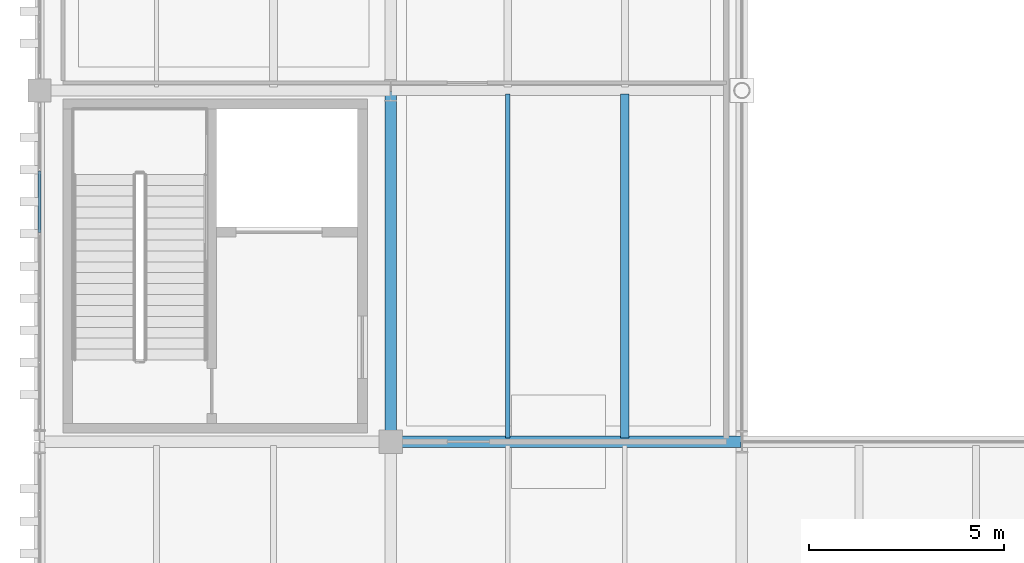
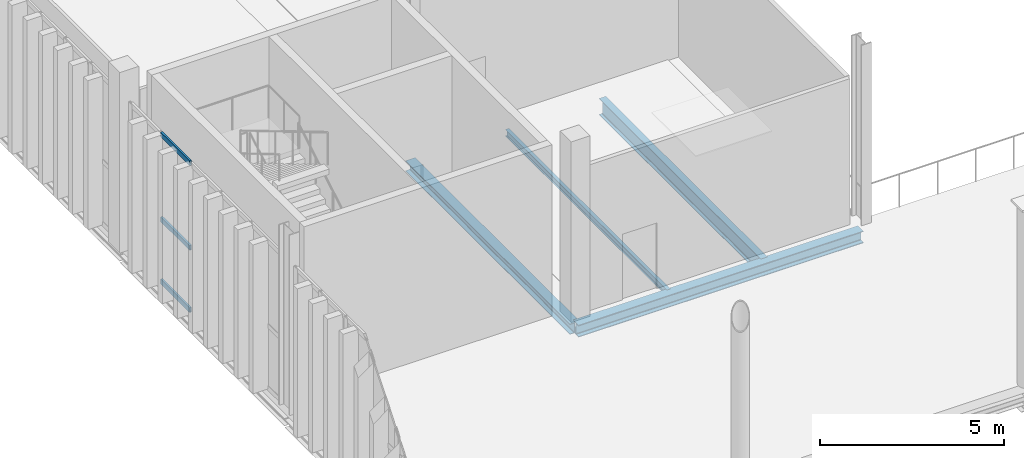
# One storey, part 35 of 211: 4 beams, 3 members, 1 element without a shape of its own.
"""IFC4 building model written with IfcOpenShell, lengths in metres."""

from ifc_helpers import new_model, si_unit, direction, frame, origin, origin_2d, place, context, subcontext, project, spatial, hollow_rectangle, i_section, extrude, material, layer, layer_set, material_profile, profile_set, type_object, element, aggregate, save


model = new_model("IFC4")

# Units and contexts
model_context = context("Model", 3, precision=1e-05, world=origin(), true_north=direction((0.0, 1.0)))
body_context = subcontext(model_context, "Body", "Model", "MODEL_VIEW")
ifc_project = project(units=[si_unit("LENGTHUNIT", "METRE"), si_unit("AREAUNIT", "SQUARE_METRE"), si_unit("VOLUMEUNIT", "CUBIC_METRE"), si_unit("PLANEANGLEUNIT", "RADIAN"), si_unit("MASSUNIT", "GRAM", prefix="KILO")], contexts=[model_context])

# Site, building, storey
site_placement = place(None, origin())
site = spatial("IfcSite", under=ifc_project, at=site_placement, CompositionType="ELEMENT")
building_placement = place(site_placement, origin())
building = spatial("IfcBuilding", under=site, at=building_placement, Name="Barlavento Convention Centre", CompositionType="ELEMENT")
storey_placement = place(building_placement, frame((0.0, 0.0, 6.0)))
storey = spatial("IfcBuildingStorey", under=building, at=storey_placement, Name="L01", CompositionType="ELEMENT", Elevation=6.0)

# Curtain wall, members
ifc_material_1 = material(Name="Powder-coated aluminium and Low-E glass", Category="aluminium")
ifc_layer = layer(ifc_material_1, 0.18505859375)
ifc_layer_set = layer_set([ifc_layer], Name="ARC-CW-CONG-L01")
curtain_wall_type = type_object("IfcCurtainWallType", Name="ARC-CW-CONG-L01", PredefinedType="NOTDEFINED", material=ifc_layer_set)
curtain_wall_placement = place(storey_placement, origin())
curtain_wall = element("IfcCurtainWall", 1, at=curtain_wall_placement, inside=storey, type_object=curtain_wall_type, Name="L01 unitised curtain wall CW01", PredefinedType="NOTDEFINED")
ifc_material_2 = material(Name="Powder-coated aluminium", Category="aluminium")
ifc_material_profile_1 = material_profile(ifc_material_2, hollow_rectangle(XDim=0.06494140625, YDim=0.159912109375, WallThickness=0.0048828125, at=origin_2d()), Name="AL-TRAN 65x160x5")
ifc_profile_set_1 = profile_set([ifc_material_profile_1], Name="Powder-coated aluminium")
member_type = type_object("IfcMemberType", Name="ARC-CWT-65X160", PredefinedType="USERDEFINED", material=ifc_profile_set_1)
member_1_placement = place(storey_placement, frame((0.0, 23.3564453125, 0.032470703125), z_axis=(0.0, 1.0, 0.0), x_axis=(-1.0, 0.0, 0.0)))
member_1 = element("IfcMember", 2, at=member_1_placement, type_object=member_type, Name="CW01 transom 4.1", ObjectType="TRANSOM", PredefinedType="USERDEFINED", context=body_context, shape_type="SweptSolid", body=[
    extrude(hollow_rectangle(XDim=0.06494140625, YDim=0.159912109375, WallThickness=0.0048828125, at=origin_2d()), origin(), (0.0, 0.0, 1.0), 1.5830078125),
])
member_2_placement = place(storey_placement, frame((0.0, 23.3564453125, 2.10009765625), z_axis=(0.0, 1.0, 0.0), x_axis=(-1.0, 0.0, 0.0)))
member_2 = element("IfcMember", 3, at=member_2_placement, type_object=member_type, Name="CW01 transom 4.2", ObjectType="TRANSOM", PredefinedType="USERDEFINED", context=body_context, shape_type="SweptSolid", body=[
    extrude(hollow_rectangle(XDim=0.06494140625, YDim=0.159912109375, WallThickness=0.0048828125, at=origin_2d()), origin(), (0.0, 0.0, 1.0), 1.5830078125),
])
member_3_placement = place(storey_placement, frame((0.0, 23.3564453125, 4.91748046875), z_axis=(0.0, 1.0, 0.0), x_axis=(-1.0, 0.0, 0.0)))
member_3 = element("IfcMember", 4, at=member_3_placement, type_object=member_type, Name="CW01 transom 4.3", ObjectType="TRANSOM", PredefinedType="USERDEFINED", context=body_context, shape_type="SweptSolid", body=[
    extrude(hollow_rectangle(XDim=0.06494140625, YDim=0.159912109375, WallThickness=0.0048828125, at=origin_2d()), origin(), (0.0, 0.0, 1.0), 1.5830078125),
])
aggregate(curtain_wall, [member_1, member_2, member_3])

# Beams
ifc_material_3 = material(Name="Steel S355", Category="steel")
ifc_material_profile_2 = material_profile(ifc_material_3, i_section(OverallWidth=0.110107421875, OverallDepth=0.219970703125, WebThickness=0.005859375, FlangeThickness=0.00927734375, FilletRadius=0.011962890625, at=origin_2d()), Name="IPE 220")
ifc_profile_set_2 = profile_set([ifc_material_profile_2], Name="Steel S355")
beam_type_1 = type_object("IfcBeamType", Name="STR-BM-JST-IPE220", PredefinedType="JOIST", material=ifc_profile_set_2)
beam_1_placement = place(storey_placement, frame((12.0, 18.094970703125, -0.409912109375), z_axis=(0.0, 1.0, 0.0), x_axis=(-1.0, 0.0, 0.0)))
element("IfcBeam", 5, at=beam_1_placement, inside=storey, type_object=beam_type_1, Name="L01 composite floor joist SJ10", PredefinedType="JOIST", context=body_context, shape_type="SweptSolid", body=[
    extrude(i_section(OverallWidth=0.110107421875, OverallDepth=0.219970703125, WebThickness=0.005859375, FlangeThickness=0.00927734375, FilletRadius=0.011962890625, at=origin_2d()), origin(), (0.0, 0.0, 1.0), 8.81005859375),
])
ifc_material_profile_3 = material_profile(ifc_material_3, i_section(OverallWidth=0.2099609375, OverallDepth=0.550048828125, WebThickness=0.010986328125, FlangeThickness=0.01708984375, FilletRadius=0.02392578125, at=origin_2d()), Name="IPE 550")
ifc_profile_set_3 = profile_set([ifc_material_profile_3], Name="Steel S355")
beam_type_2 = type_object("IfcBeamType", Name="STR-BM-JST-IPE550", PredefinedType="JOIST", material=ifc_profile_set_3)
beam_2_placement = place(storey_placement, frame((15.0, 18.094970703125, -0.574951171875), z_axis=(0.0, 1.0, 0.0), x_axis=(-1.0, 0.0, 0.0)))
element("IfcBeam", 6, at=beam_2_placement, inside=storey, type_object=beam_type_2, Name="L01 composite floor joist SJ01", PredefinedType="JOIST", context=body_context, shape_type="SweptSolid", body=[
    extrude(i_section(OverallWidth=0.2099609375, OverallDepth=0.550048828125, WebThickness=0.010986328125, FlangeThickness=0.01708984375, FilletRadius=0.02392578125, at=origin_2d()), origin(), (0.0, 0.0, 1.0), 8.81005859375),
])
ifc_material_profile_4 = material_profile(ifc_material_3, i_section(OverallWidth=0.300048828125, OverallDepth=0.35009765625, WebThickness=0.010009765625, FlangeThickness=0.017578125, FilletRadius=0.027099609375, at=origin_2d()), Name="HEA 360")
ifc_profile_set_4 = profile_set([ifc_material_profile_4], Name="Steel S355")
beam_type_3 = type_object("IfcBeamType", Name="STR-BM-PRI-HEA360", PredefinedType="BEAM", material=ifc_profile_set_4)
beam_3_placement = place(storey_placement, frame((9.0, 18.02001953125, -0.47509765625), z_axis=(0.0, 1.0, 0.0), x_axis=(-1.0, 0.0, 0.0)))
element("IfcBeam", 7, at=beam_3_placement, inside=storey, type_object=beam_type_3, Name="L01 grid girder BG23", PredefinedType="BEAM", context=body_context, shape_type="SweptSolid", body=[
    extrude(i_section(OverallWidth=0.300048828125, OverallDepth=0.35009765625, WebThickness=0.010009765625, FlangeThickness=0.017578125, FilletRadius=0.027099609375, at=origin_2d()), origin(), (0.0, 0.0, 1.0), 8.9599609375),
])
ifc_material_profile_5 = material_profile(ifc_material_3, i_section(OverallWidth=0.300048828125, OverallDepth=0.39990234375, WebThickness=0.013427734375, FlangeThickness=0.02392578125, FilletRadius=0.027099609375, at=origin_2d()), Name="HEB 400")
ifc_profile_set_5 = profile_set([ifc_material_profile_5], Name="Steel S355")
beam_type_4 = type_object("IfcBeamType", Name="STR-BM-PRI-HEB400", PredefinedType="BEAM", material=ifc_profile_set_5)
beam_4_placement = place(storey_placement, frame((9.02001953125, 18.0, -0.5), z_axis=(1.0, 0.0, 0.0), x_axis=(0.0, 1.0, 0.0)))
element("IfcBeam", 8, at=beam_4_placement, inside=storey, type_object=beam_type_4, Name="L01 primary girder BG11", PredefinedType="BEAM", context=body_context, shape_type="SweptSolid", body=[
    extrude(i_section(OverallWidth=0.300048828125, OverallDepth=0.39990234375, WebThickness=0.013427734375, FlangeThickness=0.02392578125, FilletRadius=0.027099609375, at=origin_2d()), origin(), (0.0, 0.0, 1.0), 8.9599609375),
])

save(model, "model.ifc")
